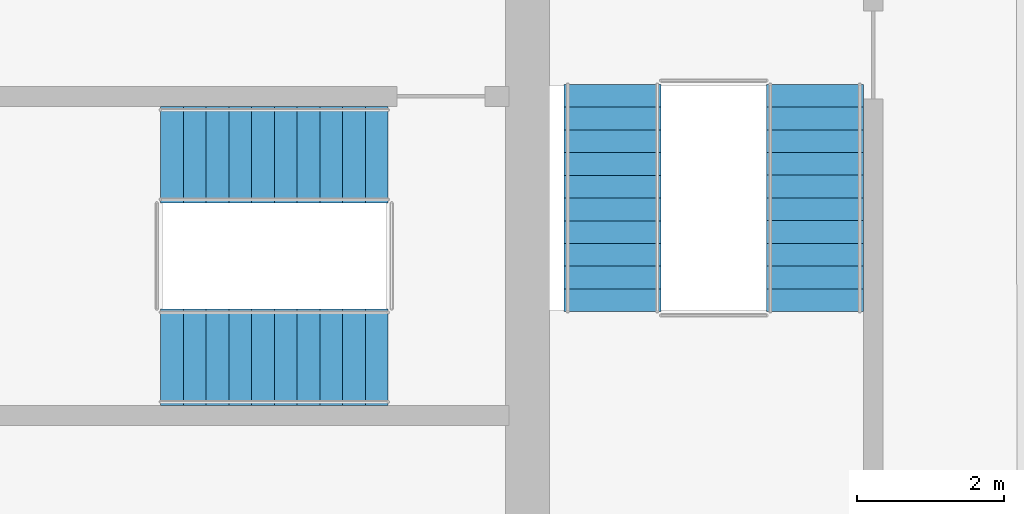
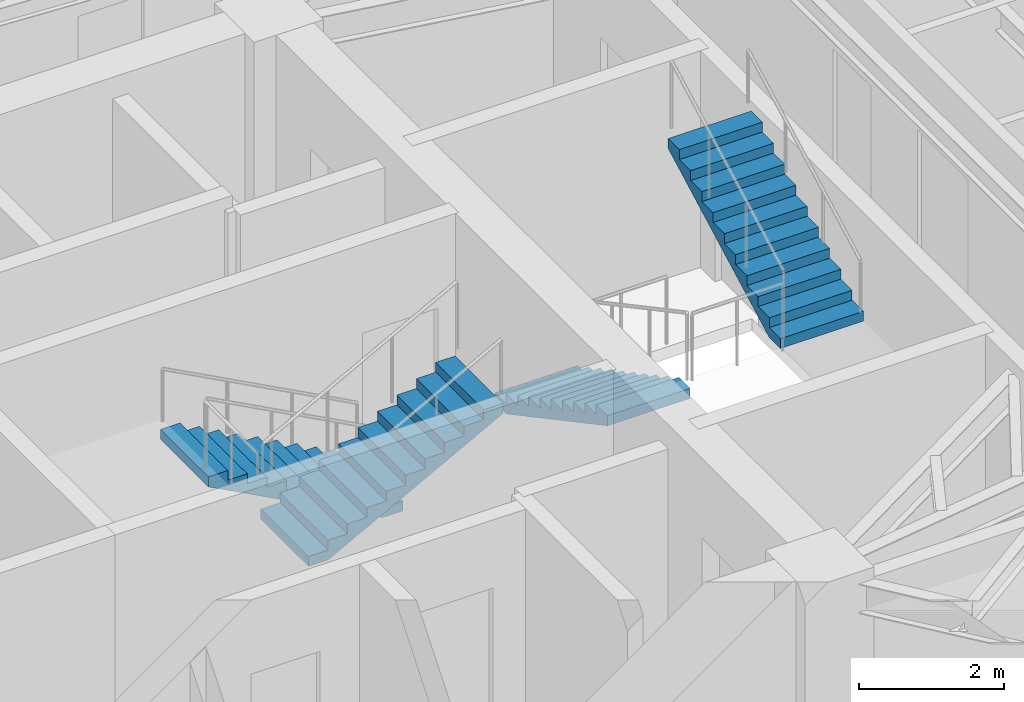
# One storey, part 19 of 21: 4 stair flights, 2 elements without a shape of their own.
"""IFC4 building model written with IfcOpenShell, lengths in metres."""

from ifc_helpers import new_model, si_unit, direction, frame, origin, place, context, subcontext, project, spatial, polyline, outline, extrude, material, type_object, element, aggregate, save


model = new_model("IFC4")

# Units and contexts
model_context = context("Model", 3, precision=1e-05, world=origin(), true_north=direction((0.0, 1.0)))
body_context = subcontext(model_context, "Body", "Model", "MODEL_VIEW")
ifc_project = project(units=[si_unit("LENGTHUNIT", "METRE"), si_unit("AREAUNIT", "SQUARE_METRE"), si_unit("VOLUMEUNIT", "CUBIC_METRE"), si_unit("PLANEANGLEUNIT", "RADIAN"), si_unit("MASSUNIT", "GRAM", prefix="KILO")], contexts=[model_context])

# Site, building, storey
site_placement = place(None, origin())
site = spatial("IfcSite", under=ifc_project, at=site_placement, CompositionType="ELEMENT")
building_placement = place(site_placement, origin())
building = spatial("IfcBuilding", under=site, at=building_placement, Name="Lazwardi Medical Tower", CompositionType="ELEMENT")
storey_placement = place(building_placement, frame((0.0, 0.0, 216.719970703125)))
storey = spatial("IfcBuildingStorey", under=building, at=storey_placement, Name="L56", CompositionType="ELEMENT", Elevation=216.719970703125)

# Stair, stair flights
ifc_material = material(Name="Concrete C45/55", Category="concrete")
stair_type = type_object("IfcStairType", Name="STR-WRD", PredefinedType="HALF_TURN_STAIR", material=ifc_material)
stair_1_placement = place(storey_placement, origin())
stair_1 = element("IfcStair", 1, at=stair_1_placement, inside=storey, type_object=stair_type, Name="L56 Protected Exit Stair ST2", PredefinedType="HALF_TURN_STAIR")
stair_flight_type = type_object("IfcStairFlightType", Name="FLT-WRD", PredefinedType="STRAIGHT", material=ifc_material)
stair_flight_1_placement = place(storey_placement, frame((43.800048828125, 29.43994140625, 0.0), z_axis=(0.0, 0.0, 1.0), x_axis=(-1.0, 0.0, 0.0)))
stair_flight_1 = element("IfcStairFlight", 2, at=stair_flight_1_placement, type_object=stair_flight_type, Name="ST2 flight 1", NumberOfRisers=11, NumberOfTreads=10, PredefinedType="STRAIGHT", RiserHeight=0.165818182, TreadLength=0.31, context=body_context, shape_type="SweptSolid", body=[
    extrude(outline(polyline([(0.0, 0.0), (0.0, 0.165771484375), (0.31005859375, 0.165771484375), (0.31005859375, 0.33154296875), (0.6201171875, 0.33154296875), (0.6201171875, 0.49755859375), (0.929931640625, 0.49755859375), (0.929931640625, 0.663330078125), (1.239990234375, 0.663330078125), (1.239990234375, 0.8291015625), (1.550048828125, 0.8291015625), (1.550048828125, 0.994873046875), (1.860107421875, 0.994873046875), (1.860107421875, 1.16064453125), (2.169921875, 1.16064453125), (2.169921875, 1.32666015625), (2.47998046875, 1.32666015625), (2.47998046875, 1.492431640625), (2.7900390625, 1.492431640625), (2.7900390625, 1.658203125), (3.10009765625, 1.658203125), (3.10009765625, 1.823974609375), (3.10009765625, 1.48828125), (0.31787109375, 0.0), (0.0, 0.0)])), frame((0.0, 0.66015625, 0.0), z_axis=(0.0, -1.0, 0.0), x_axis=(1.0, 0.0, 0.0)), (0.0, 0.0, 1.0), 1.320068359375),
])
stair_flight_2_placement = place(storey_placement, frame((40.699951171875, 26.679931640625, 1.823974609375), z_axis=(0.0, 0.0, 1.0), x_axis=(1.0, 0.0, 0.0)))
stair_flight_2 = element("IfcStairFlight", 3, at=stair_flight_2_placement, type_object=stair_flight_type, Name="ST2 flight 2", NumberOfRisers=11, NumberOfTreads=10, PredefinedType="STRAIGHT", RiserHeight=0.165818182, TreadLength=0.31, context=body_context, shape_type="SweptSolid", body=[
    extrude(outline(polyline([(0.0, 0.0), (0.0, 0.165771484375), (0.31005859375, 0.165771484375), (0.31005859375, 0.33154296875), (0.6201171875, 0.33154296875), (0.6201171875, 0.49755859375), (0.929931640625, 0.49755859375), (0.929931640625, 0.663330078125), (1.239990234375, 0.663330078125), (1.239990234375, 0.8291015625), (1.550048828125, 0.8291015625), (1.550048828125, 0.994873046875), (1.860107421875, 0.994873046875), (1.860107421875, 1.16064453125), (2.169921875, 1.16064453125), (2.169921875, 1.32666015625), (2.47998046875, 1.32666015625), (2.47998046875, 1.492431640625), (2.7900390625, 1.492431640625), (2.7900390625, 1.658203125), (3.10009765625, 1.658203125), (3.10009765625, 1.823974609375), (3.10009765625, 1.48828125), (0.31787109375, 0.0), (0.0, 0.0)])), frame((0.0, 0.66015625, 0.0), z_axis=(0.0, -1.0, 0.0), x_axis=(1.0, 0.0, 0.0)), (0.0, 0.0, 1.0), 1.320068359375),
])
aggregate(stair_1, [stair_flight_1, stair_flight_2])

stair_2_placement = place(storey_placement, origin())
stair_2 = element("IfcStair", 4, at=stair_2_placement, inside=storey, type_object=stair_type, Name="L56 Protected Exit Stair ST3", PredefinedType="HALF_TURN_STAIR")
stair_flight_3_placement = place(storey_placement, frame((46.860107421875, 30.39990234375, 0.0), z_axis=(0.0, 0.0, 1.0), x_axis=(0.0, -1.0, 0.0)))
stair_flight_3 = element("IfcStairFlight", 5, at=stair_flight_3_placement, type_object=stair_flight_type, Name="ST3 flight 1", NumberOfRisers=11, NumberOfTreads=10, PredefinedType="STRAIGHT", RiserHeight=0.165818182, TreadLength=0.31, context=body_context, shape_type="SweptSolid", body=[
    extrude(outline(polyline([(0.0, 0.0), (0.0, 0.165771484375), (0.31005859375, 0.165771484375), (0.31005859375, 0.33154296875), (0.6201171875, 0.33154296875), (0.6201171875, 0.49755859375), (0.929931640625, 0.49755859375), (0.929931640625, 0.663330078125), (1.239990234375, 0.663330078125), (1.239990234375, 0.8291015625), (1.550048828125, 0.8291015625), (1.550048828125, 0.994873046875), (1.860107421875, 0.994873046875), (1.860107421875, 1.16064453125), (2.169921875, 1.16064453125), (2.169921875, 1.32666015625), (2.47998046875, 1.32666015625), (2.47998046875, 1.492431640625), (2.7900390625, 1.492431640625), (2.7900390625, 1.658203125), (3.10009765625, 1.658203125), (3.10009765625, 1.823974609375), (3.10009765625, 1.48828125), (0.31787109375, 0.0), (0.0, 0.0)])), frame((0.0, 0.66015625, 0.0), z_axis=(0.0, -1.0, 0.0), x_axis=(1.0, 0.0, 0.0)), (0.0, 0.0, 1.0), 1.320068359375),
])
stair_flight_4_placement = place(storey_placement, frame((49.6201171875, 27.300048828125, 1.823974609375), z_axis=(0.0, 0.0, 1.0), x_axis=(0.0, 1.0, 0.0)))
stair_flight_4 = element("IfcStairFlight", 6, at=stair_flight_4_placement, type_object=stair_flight_type, Name="ST3 flight 2", NumberOfRisers=11, NumberOfTreads=10, PredefinedType="STRAIGHT", RiserHeight=0.165818182, TreadLength=0.31, context=body_context, shape_type="SweptSolid", body=[
    extrude(outline(polyline([(0.0, 0.0), (0.0, 0.165771484375), (0.31005859375, 0.165771484375), (0.31005859375, 0.33154296875), (0.6201171875, 0.33154296875), (0.6201171875, 0.49755859375), (0.929931640625, 0.49755859375), (0.929931640625, 0.663330078125), (1.239990234375, 0.663330078125), (1.239990234375, 0.8291015625), (1.550048828125, 0.8291015625), (1.550048828125, 0.994873046875), (1.860107421875, 0.994873046875), (1.860107421875, 1.16064453125), (2.169921875, 1.16064453125), (2.169921875, 1.32666015625), (2.47998046875, 1.32666015625), (2.47998046875, 1.492431640625), (2.7900390625, 1.492431640625), (2.7900390625, 1.658203125), (3.10009765625, 1.658203125), (3.10009765625, 1.823974609375), (3.10009765625, 1.48828125), (0.31787109375, 0.0), (0.0, 0.0)])), frame((0.0, 0.66015625, 0.0), z_axis=(0.0, -1.0, 0.0), x_axis=(1.0, 0.0, 0.0)), (0.0, 0.0, 1.0), 1.320068359375),
])
aggregate(stair_2, [stair_flight_3, stair_flight_4])

save(model, "model.ifc")
